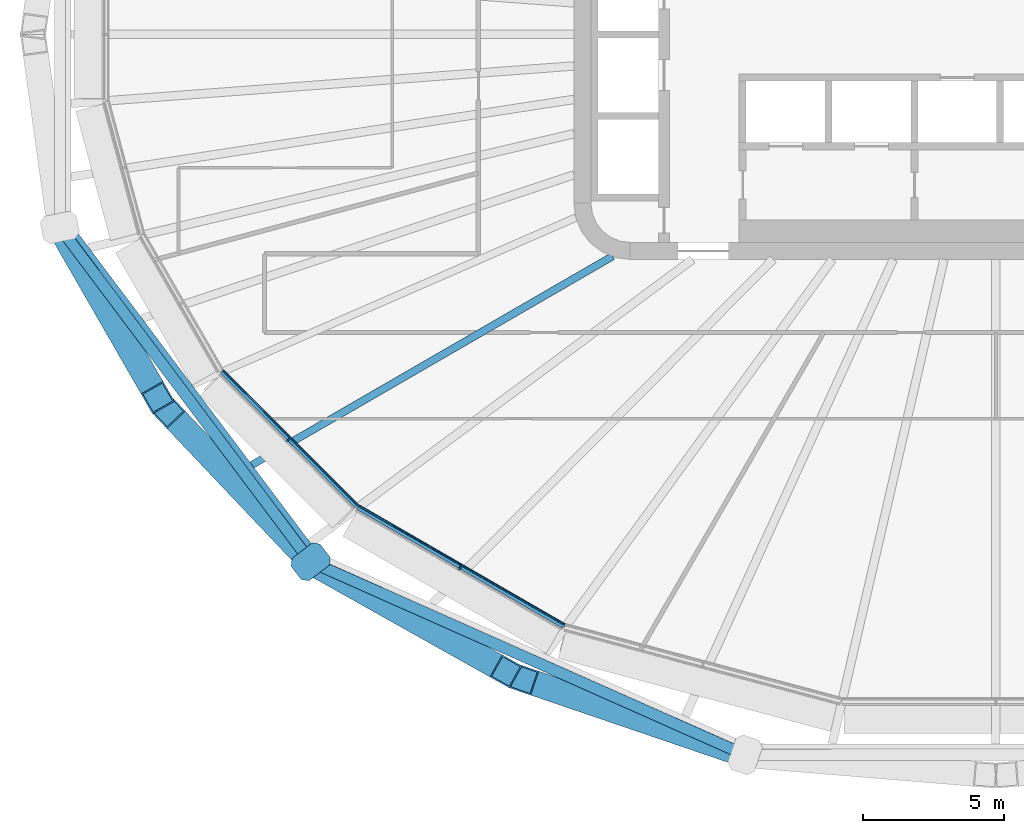
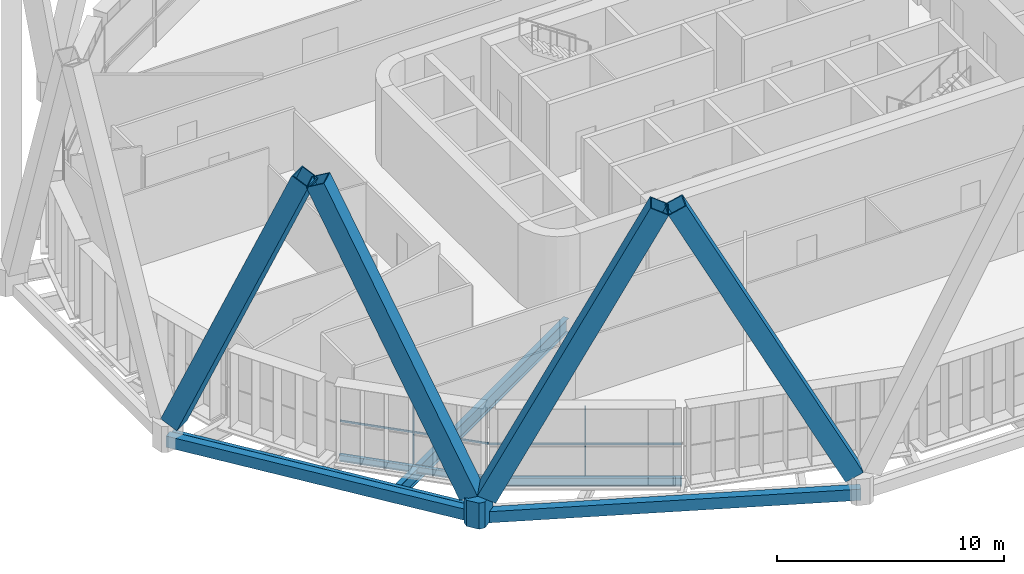
# One storey, part 1 of 26: 9 members, 6 beams, 2 elements without a shape of their own.
"""IFC4 building model written with IfcOpenShell, lengths in metres."""

from ifc_helpers import new_model, si_unit, direction, frame, origin, origin_2d, place, context, subcontext, project, spatial, polyline, rectangle, hollow_rectangle, i_section, outline, extrude, material, layer, layer_set, material_profile, profile_set, type_object, element, aggregate, save


model = new_model("IFC4")

# Units and contexts
model_context = context("Model", 3, precision=1e-05, world=origin(), true_north=direction((0.0, 1.0)))
body_context = subcontext(model_context, "Body", "Model", "MODEL_VIEW")
ifc_project = project(units=[si_unit("LENGTHUNIT", "METRE"), si_unit("AREAUNIT", "SQUARE_METRE"), si_unit("VOLUMEUNIT", "CUBIC_METRE"), si_unit("PLANEANGLEUNIT", "RADIAN"), si_unit("MASSUNIT", "GRAM", prefix="KILO")], contexts=[model_context])

# Site, building, storey
site_placement = place(None, origin())
site = spatial("IfcSite", under=ifc_project, at=site_placement, CompositionType="ELEMENT")
building_placement = place(site_placement, origin())
building = spatial("IfcBuilding", under=site, at=building_placement, Name="Sahrelin Media Tower", CompositionType="ELEMENT")
storey_placement = place(building_placement, frame((0.0, 0.0, 131.39990234375)))
storey = spatial("IfcBuildingStorey", under=building, at=storey_placement, Name="L26", CompositionType="ELEMENT", Elevation=131.39990234375)

# Members
ifc_material_1 = material(Name="Steel S460", Category="steel")
ifc_material_profile_1 = material_profile(ifc_material_1, hollow_rectangle(XDim=0.89990234375, YDim=0.89990234375, WallThickness=0.050048828125, at=origin_2d()), Name="Diagrid diagonal DG3")
ifc_profile_set_1 = profile_set([ifc_material_profile_1], Name="Steel S460")
member_type_1 = type_object("IfcMemberType", Name="Diagrid diagonal DG3", PredefinedType="BRACE", material=ifc_profile_set_1)
member_1_placement = place(storey_placement, frame((-33.123046875, -7.12548828125, 0.7001953125), z_axis=(0.1983368601, -0.344642114144, 0.917542534755), x_axis=(0.866724059619, 0.498787935378, 0.0)))
element("IfcMember", 1, at=member_1_placement, inside=storey, type_object=member_type_1, Name="Diagrid diagonal D05-13", PredefinedType="BRACE", context=body_context, shape_type="SweptSolid", body=[
    extrude(hollow_rectangle(XDim=0.89990234375, YDim=0.89990234375, WallThickness=0.050048828125, at=origin_2d()), origin(), (0.0, 0.0, 1.0), 16.783935546875),
])
member_2_placement = place(storey_placement, frame((-24.57861328125, -18.516357421875, 0.7001953125), z_axis=(-0.28605931744, 0.301832156171, 0.909432469404), x_axis=(-0.725816925238, -0.687887920404, 0.0)))
element("IfcMember", 2, at=member_2_placement, inside=storey, type_object=member_type_1, Name="Diagrid diagonal D05-14", PredefinedType="BRACE", context=body_context, shape_type="SweptSolid", body=[
    extrude(hollow_rectangle(XDim=0.89990234375, YDim=0.89990234375, WallThickness=0.050048828125, at=origin_2d()), origin(), (0.0, 0.0, 1.0), 16.93359375),
])
member_3_placement = place(storey_placement, frame((-24.056640625, -18.918212890625, 0.7001953125), z_axis=(0.386530667457, -0.217011390542, 0.896381670657), x_axis=(0.489554855543, 0.871972501524, 0.0)))
element("IfcMember", 3, at=member_3_placement, inside=storey, type_object=member_type_1, Name="Diagrid diagonal D05-15", PredefinedType="BRACE", context=body_context, shape_type="SweptSolid", body=[
    extrude(hollow_rectangle(XDim=0.89990234375, YDim=0.89990234375, WallThickness=0.050048828125, at=origin_2d()), origin(), (0.0, 0.0, 1.0), 17.18017578125),
])
member_4_placement = place(storey_placement, frame((-9.25732421875, -25.49462890625, 0.7001953125), z_axis=(-0.433754821512, 0.147868079685, 0.888814820885), x_axis=(-0.322668293279, -0.946512109015, 0.0)))
element("IfcMember", 4, at=member_4_placement, inside=storey, type_object=member_type_1, Name="Diagrid diagonal D05-16", PredefinedType="BRACE", context=body_context, shape_type="SweptSolid", body=[
    extrude(hollow_rectangle(XDim=0.89990234375, YDim=0.89990234375, WallThickness=0.050048828125, at=origin_2d()), origin(), (0.0, 0.0, 1.0), 17.326416015625),
])
ifc_material_profile_2 = material_profile(ifc_material_1, outline(polyline([(0.449951171875, -0.5), (0.64990234375, -0.300048828125), (0.64990234375, 0.300048828125), (0.449951171875, 0.5), (-0.449951171875, 0.5), (-0.64990234375, 0.300048828125), (-0.64990234375, -0.300048828125), (-0.449951171875, -0.5), (0.449951171875, -0.5)])), Name="Diagrid node block 1300")
ifc_profile_set_2 = profile_set([ifc_material_profile_2], Name="Steel S460")
member_type_2 = type_object("IfcMemberType", Name="Diagrid node block 1300", PredefinedType="USERDEFINED", material=ifc_profile_set_2)
member_5_placement = place(storey_placement, frame((-24.3583984375, -18.748779296875, -0.699951171875), z_axis=(0.0, 0.0, 1.0), x_axis=(-0.792445093645, -0.609943254376, 0.0)))
element("IfcMember", 5, at=member_5_placement, inside=storey, type_object=member_type_2, Name="Diagrid node N05-07", ObjectType="NODE", PredefinedType="USERDEFINED", context=body_context, shape_type="SweptSolid", body=[
    extrude(outline(polyline([(0.449951171875, -0.5), (0.64990234375, -0.300048828125), (0.64990234375, 0.300048828125), (0.449951171875, 0.5), (-0.449951171875, 0.5), (-0.64990234375, 0.300048828125), (-0.64990234375, -0.300048828125), (-0.449951171875, -0.5), (0.449951171875, -0.5)])), origin(), (0.0, 0.0, 1.0), 1.400146484375),
])

# Beams
ifc_material_profile_3 = material_profile(ifc_material_1, hollow_rectangle(XDim=0.39990234375, YDim=0.60009765625, WallThickness=0.030029296875, at=origin_2d()), Name="Diagrid ring beam RB1")
ifc_profile_set_3 = profile_set([ifc_material_profile_3], Name="Steel S460")
beam_type_1 = type_object("IfcBeamType", Name="Diagrid ring beam RB1", PredefinedType="BEAM", material=ifc_profile_set_3)
beam_1_placement = place(storey_placement, frame((-33.2744140625, -6.862548828125, -0.449951171875), z_axis=(0.600057835332, -0.799956620234, 0.0), x_axis=(0.799956620234, 0.600057835332, 0.0)))
element("IfcBeam", 6, at=beam_1_placement, inside=storey, type_object=beam_type_1, Name="Diagrid ring beam RB05-06", PredefinedType="BEAM", context=body_context, shape_type="SweptSolid", body=[
    extrude(hollow_rectangle(XDim=0.39990234375, YDim=0.60009765625, WallThickness=0.030029296875, at=origin_2d()), origin(), (0.0, 0.0, 1.0), 14.858642578125),
])
beam_2_placement = place(storey_placement, frame((-24.3583984375, -18.748779296875, -0.449951171875), z_axis=(0.913835377653, -0.406084846491, 0.0), x_axis=(0.406084846491, 0.913835377653, 0.0)))
element("IfcBeam", 7, at=beam_2_placement, inside=storey, type_object=beam_type_1, Name="Diagrid ring beam RB05-07", PredefinedType="BEAM", context=body_context, shape_type="SweptSolid", body=[
    extrude(hollow_rectangle(XDim=0.39990234375, YDim=0.60009765625, WallThickness=0.030029296875, at=origin_2d()), origin(), (0.0, 0.0, 1.0), 16.898681640625),
])
ifc_material_2 = material(Name="Steel S355", Category="steel")
ifc_material_profile_4 = material_profile(ifc_material_2, i_section(OverallWidth=0.17138671875, OverallDepth=0.35498046875, WebThickness=0.00732421875, FlangeThickness=0.011474609375, FilletRadius=0.01025390625, at=origin_2d()), Name="UB 356x171x51")
ifc_profile_set_4 = profile_set([ifc_material_profile_4], Name="Steel S355")
beam_type_2 = type_object("IfcBeamType", Name="Edge beam EB3", PredefinedType="BEAM", material=ifc_profile_set_4)
beam_3_placement = place(storey_placement, frame((-22.711181640625, -16.772216796875, -0.327392578125), z_axis=(-0.707106781187, 0.707106781187, 0.0), x_axis=(-0.707106781187, -0.707106781187, 0.0)))
element("IfcBeam", 8, at=beam_3_placement, inside=storey, type_object=beam_type_2, Name="Edge beam L26-10", PredefinedType="BEAM", context=body_context, shape_type="SweptSolid", body=[
    extrude(i_section(OverallWidth=0.17138671875, OverallDepth=0.35498046875, WebThickness=0.00732421875, FlangeThickness=0.011474609375, FilletRadius=0.01025390625, at=origin_2d()), origin(), (0.0, 0.0, 1.0), 6.789794921875),
])
ifc_material_profile_5 = material_profile(ifc_material_2, i_section(OverallWidth=0.1904296875, OverallDepth=0.45703125, WebThickness=0.009033203125, FlangeThickness=0.014404296875, FilletRadius=0.01025390625, at=origin_2d()), Name="UB 457x191x74")
ifc_profile_set_5 = profile_set([ifc_material_profile_5], Name="Steel S355")
beam_type_3 = type_object("IfcBeamType", Name="Edge beam EB5", PredefinedType="BEAM", material=ifc_profile_set_5)
beam_4_placement = place(storey_placement, frame((-15.345703125, -21.029296875, -0.37841796875), z_axis=(-0.866017756825, 0.500013244689, 0.0), x_axis=(-0.500013244689, -0.866017756825, 0.0)))
element("IfcBeam", 9, at=beam_4_placement, inside=storey, type_object=beam_type_3, Name="Edge beam L26-09", PredefinedType="BEAM", context=body_context, shape_type="SweptSolid", body=[
    extrude(i_section(OverallWidth=0.1904296875, OverallDepth=0.45703125, WebThickness=0.009033203125, FlangeThickness=0.014404296875, FilletRadius=0.01025390625, at=origin_2d()), origin(), (0.0, 0.0, 1.0), 8.478759765625),
])

# Curtain wall, member
ifc_material_3 = material(Name="Champagne anodised aluminium 6063-T6", Category="aluminium")
ifc_layer = layer(ifc_material_3, 0.14990234375)
ifc_layer_set = layer_set([ifc_layer], Name="Tower ribbon curtain wall")
curtain_wall_type = type_object("IfcCurtainWallType", Name="Tower ribbon curtain wall", PredefinedType="NOTDEFINED", material=ifc_layer_set)
curtain_wall_1_placement = place(storey_placement, frame((-25.2177734375, -14.477783203125, 0.0), z_axis=(0.0, 0.0, 1.0), x_axis=(1.0, 0.0, 0.0)))
curtain_wall_1 = element("IfcCurtainWall", 10, at=curtain_wall_1_placement, inside=storey, type_object=curtain_wall_type, Name="L26:CW:L26-15", PredefinedType="NOTDEFINED")
ifc_material_profile_6 = material_profile(ifc_material_3, rectangle(XDim=0.06005859375, YDim=0.14990234375, at=origin_2d()), Name="Mullion 60x150")
ifc_profile_set_6 = profile_set([ifc_material_profile_6], Name="Champagne anodised aluminium 6063-T6")
member_type_3 = type_object("IfcMemberType", Name="Mullion 60x150 CW1", PredefinedType="MULLION", material=ifc_profile_set_6)
member_6_placement = place(storey_placement, frame((-25.150634765625, -14.41064453125, 0.0), z_axis=(0.0, 0.0, 1.0), x_axis=(0.707099376343, -0.707114185953, 0.0)))
member_6 = element("IfcMember", 11, at=member_6_placement, type_object=member_type_3, Name="L26:CWM:L26-15", PredefinedType="MULLION", context=body_context, shape_type="SweptSolid", body=[
    extrude(rectangle(XDim=0.06005859375, YDim=0.14990234375, at=origin_2d()), origin(), (0.0, 0.0, 1.0), 3.648681640625),
])

curtain_wall_2_placement = place(storey_placement, frame((-19.092041015625, -19.039306640625, 0.0), z_axis=(0.0, 0.0, 1.0), x_axis=(1.0, 0.0, 0.0)))
curtain_wall_2 = element("IfcCurtainWall", 12, at=curtain_wall_2_placement, inside=storey, type_object=curtain_wall_type, Name="L26:CW:L26-16", PredefinedType="NOTDEFINED")
member_7_placement = place(storey_placement, frame((-19.04443359375, -18.95703125, 0.0), z_axis=(0.0, 0.0, 1.0), x_axis=(0.866028894422, -0.49999395399, 0.0)))
member_7 = element("IfcMember", 13, at=member_7_placement, type_object=member_type_3, Name="L26:CWM:L26-16", PredefinedType="MULLION", context=body_context, shape_type="SweptSolid", body=[
    extrude(rectangle(XDim=0.06005859375, YDim=0.14990234375, at=origin_2d()), origin(), (0.0, 0.0, 1.0), 3.648681640625),
])

# Beams
ifc_material_profile_7 = material_profile(ifc_material_2, i_section(OverallWidth=0.26513671875, OverallDepth=0.75390625, WebThickness=0.0126953125, FlangeThickness=0.017578125, FilletRadius=0.0166015625, at=origin_2d()), Name="UB 762x267x147")
ifc_profile_set_7 = profile_set([ifc_material_profile_7], Name="Steel S355")
beam_type_4 = type_object("IfcBeamType", Name="Radial secondary beam SB9", PredefinedType="BEAM", material=ifc_profile_set_7)
beam_5_placement = place(storey_placement, frame((-13.627197265625, -7.886474609375, -0.52685546875), z_axis=(-0.865515798986, -0.500881624444, 0.0), x_axis=(0.500881624444, -0.865515798986, 0.0)))
element("IfcBeam", 14, at=beam_5_placement, inside=storey, type_object=beam_type_4, Name="Secondary beam L26-15", PredefinedType="BEAM", context=body_context, shape_type="SweptSolid", body=[
    extrude(i_section(OverallWidth=0.26513671875, OverallDepth=0.75390625, WebThickness=0.0126953125, FlangeThickness=0.017578125, FilletRadius=0.0166015625, at=origin_2d()), origin(), (0.0, 0.0, 1.0), 14.811767578125),
])
ifc_material_profile_8 = material_profile(ifc_material_2, i_section(OverallWidth=0.1904296875, OverallDepth=0.45703125, WebThickness=0.009033203125, FlangeThickness=0.014404296875, FilletRadius=0.01025390625, at=origin_2d()), Name="UB 457x191x74")
ifc_profile_set_8 = profile_set([ifc_material_profile_8], Name="Steel S355")
beam_type_5 = type_object("IfcBeamType", Name="Tie chord TC5", PredefinedType="BEAM", material=ifc_profile_set_8)
beam_6_placement = place(storey_placement, frame((-24.165283203125, -18.506103515625, -0.37841796875), z_axis=(-0.60004789499, 0.799964076517, 0.0), x_axis=(-0.799964076517, -0.60004789499, 0.0)))
element("IfcBeam", 15, at=beam_6_placement, inside=storey, type_object=beam_type_5, Name="Tie chord L26-06", PredefinedType="BEAM", context=body_context, shape_type="SweptSolid", body=[
    extrude(i_section(OverallWidth=0.1904296875, OverallDepth=0.45703125, WebThickness=0.009033203125, FlangeThickness=0.014404296875, FilletRadius=0.01025390625, at=origin_2d()), origin(), (0.0, 0.0, 1.0), 14.68017578125),
])

# Member
ifc_material_profile_9 = material_profile(ifc_material_3, rectangle(XDim=0.050048828125, YDim=0.10009765625, at=origin_2d()), Name="Transom 50x100")
ifc_profile_set_9 = profile_set([ifc_material_profile_9], Name="Champagne anodised aluminium 6063-T6")
member_type_4 = type_object("IfcMemberType", Name="Transom 50x100 CW1", PredefinedType="USERDEFINED", material=ifc_profile_set_9)
member_8_placement = place(storey_placement, frame((-27.469482421875, -11.950439453125, 1.60009765625), z_axis=(0.707088719019, -0.707124842893, 0.0), x_axis=(0.707124842893, 0.707088719019, 0.0)))
member_8 = element("IfcMember", 16, at=member_8_placement, type_object=member_type_4, Name="L26:CWT:L26-15", ObjectType="TRANSOM", PredefinedType="USERDEFINED", context=body_context, shape_type="SweptSolid", body=[
    extrude(rectangle(XDim=0.050048828125, YDim=0.10009765625, at=origin_2d()), origin(), (0.0, 0.0, 1.0), 6.758544921875),
])

aggregate(curtain_wall_1, [member_6, member_8])

member_9_placement = place(storey_placement, frame((-22.65234375, -16.7587890625, 1.60009765625), z_axis=(0.866029168372, -0.499993479487, 0.0), x_axis=(0.499993479487, 0.866029168372, 0.0)))
member_9 = element("IfcMember", 17, at=member_9_placement, type_object=member_type_4, Name="L26:CWT:L26-16", ObjectType="TRANSOM", PredefinedType="USERDEFINED", context=body_context, shape_type="SweptSolid", body=[
    extrude(rectangle(XDim=0.050048828125, YDim=0.10009765625, at=origin_2d()), origin(), (0.0, 0.0, 1.0), 8.447265625),
])

aggregate(curtain_wall_2, [member_7, member_9])

save(model, "model.ifc")
